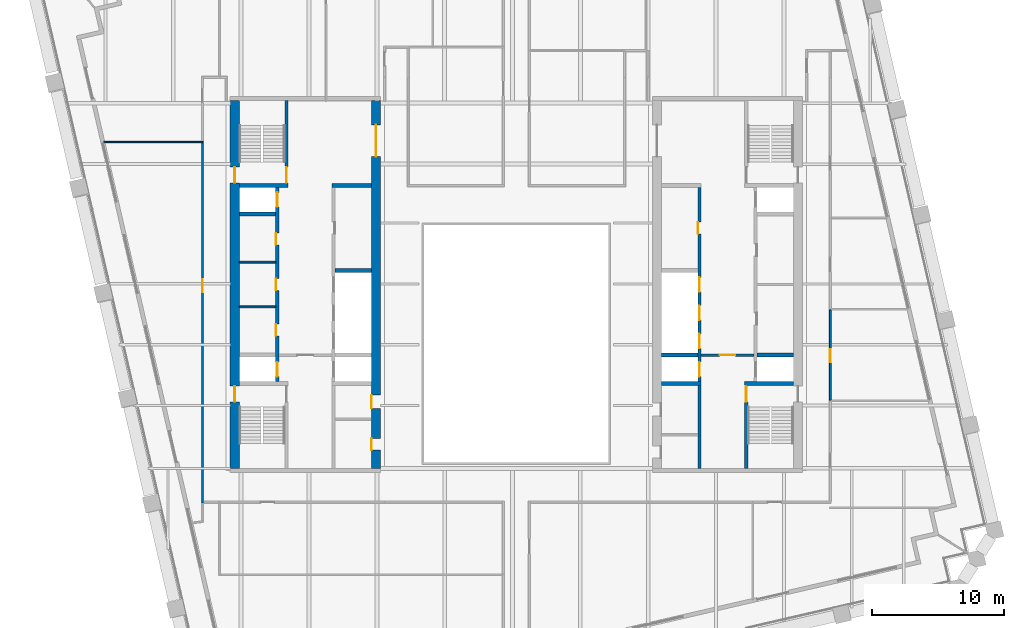
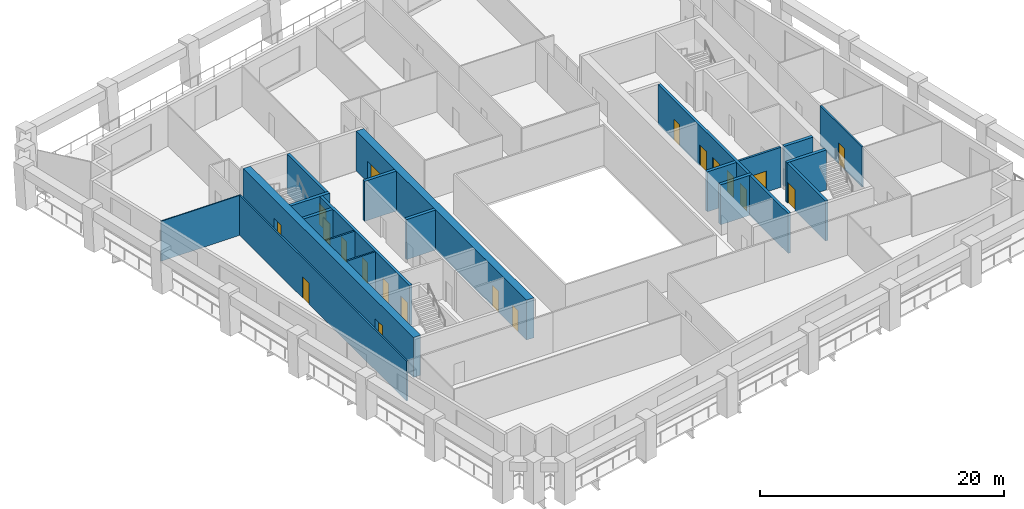
# One storey, part 5 of 10: 20 doors, 20 walls, 20 openings.
"""IFC4 building model written with IfcOpenShell, lengths in metres."""

from ifc_helpers import new_model, si_unit, direction, frame, frame_2d, origin, place, context, subcontext, project, spatial, rectangle, extrude, material, layer, layer_set, type_object, element, fill, save


model = new_model("IFC4")

# Units and contexts
model_context = context("Model", 3, precision=1e-05, world=origin(), true_north=direction((0.0, 1.0)))
body_context = subcontext(model_context, "Body", "Model", "MODEL_VIEW")
ifc_project = project(units=[si_unit("LENGTHUNIT", "METRE"), si_unit("AREAUNIT", "SQUARE_METRE"), si_unit("VOLUMEUNIT", "CUBIC_METRE"), si_unit("PLANEANGLEUNIT", "RADIAN"), si_unit("MASSUNIT", "GRAM", prefix="KILO")], contexts=[model_context])

# Site, building, storey
site_placement = place(None, origin())
site = spatial("IfcSite", under=ifc_project, at=site_placement, CompositionType="ELEMENT")
building_placement = place(site_placement, origin())
building = spatial("IfcBuilding", under=site, at=building_placement, Name="Ogive Exchange Tower", CompositionType="ELEMENT")
storey_placement = place(building_placement, frame((0.0, 0.0, 196.800048828125)))
storey = spatial("IfcBuildingStorey", under=building, at=storey_placement, Name="L43", CompositionType="ELEMENT", Elevation=196.800048828125)

# Walls
ifc_material_1 = material(Name="Gypsum board partition")
ifc_layer_1 = layer(ifc_material_1, 0.14990234375)
ifc_layer_set_1 = layer_set([ifc_layer_1], Name="Core room partition 150 gypsum")
wall_type_1 = type_object("IfcWallType", Name="Core room partition 150 gypsum", PredefinedType="PARTITIONING", material=ifc_layer_set_1)
for number, where, z_axis, x_axis, name in (
    (1, (-21.0, 9.800048828125, 0.0), (0.0, 0.0, 1.0), (1.0, 0.0, 0.0), "W row A bay partition 1-1"),
    (2, (-21.0, 13.199951171875, 0.0), (0.0, 0.0, 1.0), (1.0, 0.0, 0.0), "W row A bay partition 1-2"),
):
    element("IfcWall", number, at=place(storey_placement, frame(where, z_axis=z_axis, x_axis=x_axis)), inside=storey, type_object=wall_type_1, Name=name, PredefinedType="PARTITIONING", context=body_context, shape_type="SweptSolid", body=[
        extrude(rectangle(XDim=2.75, YDim=0.14990234375, at=frame_2d((1.375, 0.0))), origin(), (0.0, 0.0, 1.0), 4.0),
    ])
ifc_layer_2 = layer(ifc_material_1, 0.300048828125)
ifc_layer_set_2 = layer_set([ifc_layer_2], Name="Core room partition 300 gypsum")
wall_type_2 = type_object("IfcWallType", Name="Core room partition 300 gypsum", PredefinedType="PARTITIONING", material=ifc_layer_set_2)
wall_1_placement = place(storey_placement, frame((-14.0, 19.0, 0.0), z_axis=(0.0, 0.0, 1.0), x_axis=(1.0, 0.0, 0.0)))
element("IfcWall", 3, at=wall_1_placement, inside=storey, type_object=wall_type_2, Name="W row B room end wall 7", PredefinedType="PARTITIONING", context=body_context, shape_type="SweptSolid", body=[
    extrude(rectangle(XDim=3.0, YDim=0.300048828125, at=frame_2d((1.5, 0.0))), origin(), (0.0, 0.0, 1.0), 4.0),
])

# Wall, opening, door
ifc_material_2 = material(Name="Fire partition EI 60 150")
ifc_layer_3 = layer(ifc_material_2, 0.14990234375)
ifc_layer_set_3 = layer_set([ifc_layer_3], Name="Fire partition EI 60 150")
wall_type_3 = type_object("IfcWallType", Name="Fire partition EI 60 150", PredefinedType="PARTITIONING", material=ifc_layer_set_3)
wall_2_placement = place(storey_placement, frame((-23.800048828125, -5.074951171875, 0.0), z_axis=(0.0, 0.0, 1.0), x_axis=(0.0, 1.0, 0.0)))
wall_2 = element("IfcWall", 4, at=wall_2_placement, inside=storey, type_object=wall_type_3, Name="L43-PWL-003", PredefinedType="PARTITIONING", context=body_context, shape_type="SweptSolid", body=[
    extrude(rectangle(XDim=27.3349609375, YDim=0.14990234375, at=frame_2d((13.66748046875, 0.0))), origin(), (0.0, 0.0, 1.0), 4.0),
])
opening_1_placement = place(wall_2_placement, frame((15.985107421875, 0.0, 0.0)))
opening_1 = element("IfcOpeningElement", 5, at=opening_1_placement, cuts=wall_2, Name="Opening L43-I05", PredefinedType="OPENING", context=body_context, shape_type="SweptSolid", body=[
    extrude(rectangle(XDim=1.0, YDim=2.10009765625, at=frame_2d((0.5, 1.050048828125))), frame((0.0, 0.0849609375, 0.0), z_axis=(0.0, -1.0, 0.0), x_axis=(1.0, 0.0, 0.0)), (0.0, 0.0, 1.0), 0.169921875),
])
ifc_material_3 = material(Name="Fire door FD 30S 1000 x 2100")
door_type_1 = type_object("IfcDoorType", Name="Fire door FD 30S 1000 x 2100", OperationType="NOTDEFINED", PredefinedType="DOOR", material=ifc_material_3)
door_1_placement = place(opening_1_placement, origin())
door_1 = element("IfcDoor", 6, at=door_1_placement, inside=storey, type_object=door_type_1, Name="L43-IDR-005", ObjectType="DT3", OperationType="SINGLE_SWING_RIGHT", OverallHeight=2.10009765625, OverallWidth=1.0, PredefinedType="DOOR", context=body_context, shape_type="SweptSolid", body=[
    extrude(rectangle(XDim=1.0, YDim=2.10009765625, at=frame_2d((0.5, 1.050048828125))), frame((0.0, 0.02490234375, 0.0), z_axis=(0.0, -1.0, 0.0), x_axis=(1.0, 0.0, 0.0)), (0.0, 0.0, 1.0), 0.050048828125),
])
fill(opening_1, door_1)

wall_3_placement = place(storey_placement, frame((23.800048828125, 9.570068359375, 0.0), z_axis=(0.0, 0.0, 1.0), x_axis=(0.0, -1.0, 0.0)))
wall_3 = element("IfcWall", 7, at=wall_3_placement, inside=storey, type_object=wall_type_3, Name="L43-PWL-051", PredefinedType="PARTITIONING", context=body_context, shape_type="SweptSolid", body=[
    extrude(rectangle(XDim=6.830078125, YDim=0.14990234375, at=frame_2d((3.4150390625, 0.0))), origin(), (0.0, 0.0, 1.0), 4.0),
])
opening_2_placement = place(wall_3_placement, frame((2.97998046875, 0.0, 0.0)))
opening_2 = element("IfcOpeningElement", 8, at=opening_2_placement, cuts=wall_3, Name="Opening L43-I14", PredefinedType="OPENING", context=body_context, shape_type="SweptSolid", body=[
    extrude(rectangle(XDim=1.0, YDim=2.10009765625, at=frame_2d((0.5, 1.050048828125))), frame((0.0, 0.0849609375, 0.0), z_axis=(0.0, -1.0, 0.0), x_axis=(1.0, 0.0, 0.0)), (0.0, 0.0, 1.0), 0.169921875),
])
door_2_placement = place(opening_2_placement, origin())
door_2 = element("IfcDoor", 9, at=door_2_placement, inside=storey, type_object=door_type_1, Name="L43-IDR-014", ObjectType="DT3", OperationType="SINGLE_SWING_LEFT", OverallHeight=2.10009765625, OverallWidth=1.0, PredefinedType="DOOR", context=body_context, shape_type="SweptSolid", body=[
    extrude(rectangle(XDim=1.0, YDim=2.10009765625, at=frame_2d((0.5, 1.050048828125))), frame((0.0, 0.02490234375, 0.0), z_axis=(0.0, -1.0, 0.0), x_axis=(1.0, 0.0, 0.0)), (0.0, 0.0, 1.0), 0.050048828125),
])
fill(opening_2, door_2)

# Wall
ifc_material_4 = material(Name="Partition 100 gypsum")
ifc_layer_4 = layer(ifc_material_4, 0.10009765625)
ifc_layer_set_4 = layer_set([ifc_layer_4], Name="Partition 100 gypsum")
wall_type_4 = type_object("IfcWallType", Name="Partition 100 gypsum", PredefinedType="PARTITIONING", material=ifc_layer_set_4)
wall_4_placement = place(storey_placement, frame((-31.2890625, 22.31005859375, 0.0), z_axis=(0.0, 0.0, 1.0), x_axis=(1.0, 0.0, 0.0)))
element("IfcWall", 10, at=wall_4_placement, inside=storey, type_object=wall_type_4, Name="L43-PWL-001", PredefinedType="PARTITIONING", context=body_context, shape_type="SweptSolid", body=[
    extrude(rectangle(XDim=7.56396484375, YDim=0.10009765625, at=frame_2d((3.781982421875, 0.0))), origin(), (0.0, 0.0, 1.0), 4.0),
])

# Wall, opening, door
ifc_material_5 = material(Name="Concrete C70/85", Category="concrete")
ifc_layer_5 = layer(ifc_material_5, 0.199951171875)
ifc_layer_set_5 = layer_set([ifc_layer_5], Name="RC core wall 200 C70/85")
wall_type_5 = type_object("IfcWallType", Name="RC core wall 200 C70/85", PredefinedType="SHEAR", material=ifc_layer_set_5)
wall_5_placement = place(storey_placement, frame((14.0, 6.142822265625, 0.0), z_axis=(0.0, 0.0, 1.0), x_axis=(1.0, 0.0, 0.0)))
wall_5 = element("IfcWall", 11, at=wall_5_placement, inside=storey, type_object=wall_type_5, Name="E firefighting lobby wall", PredefinedType="SHEAR", context=body_context, shape_type="SweptSolid", body=[
    extrude(rectangle(XDim=4.0, YDim=0.199951171875, at=frame_2d((2.0, 0.0))), origin(), (0.0, 0.0, 1.0), 4.0),
])
opening_3_placement = place(wall_5_placement, frame((1.39990234375, 0.0, 0.0)))
opening_3 = element("IfcOpeningElement", 12, at=opening_3_placement, cuts=wall_5, Name="Opening L43-C28", PredefinedType="OPENING", context=body_context, shape_type="SweptSolid", body=[
    extrude(rectangle(XDim=1.199951171875, YDim=2.10009765625, at=frame_2d((0.60009765625, 1.050048828125))), frame((0.0, 0.10986328125, 0.0), z_axis=(0.0, -1.0, 0.0), x_axis=(1.0, 0.0, 0.0)), (0.0, 0.0, 1.0), 0.219970703125),
])
ifc_material_6 = material(Name="Steel fire door", Category="steel")
door_type_2 = type_object("IfcDoorType", Name="Firefighting lobby door FD60 1200 x 2100", OperationType="NOTDEFINED", PredefinedType="DOOR", material=ifc_material_6)
door_3_placement = place(opening_3_placement, frame((1.199951171875, 0.0, 0.0), z_axis=(0.0, 0.0, 1.0), x_axis=(-1.0, 0.0, 0.0)))
door_3 = element("IfcDoor", 13, at=door_3_placement, inside=storey, type_object=door_type_2, Name="Firefighting lobby door", ObjectType="CD3", OperationType="SINGLE_SWING_RIGHT", OverallHeight=2.10009765625, OverallWidth=1.199951171875, PredefinedType="DOOR", context=body_context, shape_type="SweptSolid", body=[
    extrude(rectangle(XDim=1.199951171875, YDim=2.10009765625, at=frame_2d((0.60009765625, 1.050048828125))), frame((0.0, 0.02490234375, 0.0), z_axis=(0.0, -1.0, 0.0), x_axis=(1.0, 0.0, 0.0)), (0.0, 0.0, 1.0), 0.050048828125),
])
fill(opening_3, door_3)

ifc_layer_6 = layer(ifc_material_5, 0.25)
ifc_layer_set_6 = layer_set([ifc_layer_6], Name="RC core wall 250 C70/85")
wall_type_6 = type_object("IfcWallType", Name="RC core wall 250 C70/85", PredefinedType="SHEAR", material=ifc_layer_set_6)
wall_6_placement = place(storey_placement, frame((-17.425048828125, 19.14990234375, 0.0), z_axis=(0.0, 0.0, 1.0), x_axis=(0.0, 1.0, 0.0)))
wall_6 = element("IfcWall", 14, at=wall_6_placement, inside=storey, type_object=wall_type_6, Name="W stair N front wall", PredefinedType="SHEAR", context=body_context, shape_type="SweptSolid", body=[
    extrude(rectangle(XDim=6.300048828125, YDim=0.25, at=frame_2d((3.14990234375, 0.0))), origin(), (0.0, 0.0, 1.0), 4.0),
])
opening_4_placement = place(wall_6_placement, frame((0.050048828125, 0.0, 0.0)))
opening_4 = element("IfcOpeningElement", 15, at=opening_4_placement, cuts=wall_6, Name="Opening L43-C15", PredefinedType="OPENING", context=body_context, shape_type="SweptSolid", body=[
    extrude(rectangle(XDim=1.199951171875, YDim=2.10009765625, at=frame_2d((0.60009765625, 1.050048828125))), frame((0.0, 0.135009765625, 0.0), z_axis=(0.0, -1.0, 0.0), x_axis=(1.0, 0.0, 0.0)), (0.0, 0.0, 1.0), 0.27001953125),
])
door_type_3 = type_object("IfcDoorType", Name="Stair door FD90 1200 x 2100", OperationType="NOTDEFINED", PredefinedType="DOOR", material=ifc_material_6)
door_4_placement = place(opening_4_placement, origin())
door_4 = element("IfcDoor", 16, at=door_4_placement, inside=storey, type_object=door_type_3, Name="Stair door", ObjectType="CD5", OperationType="SINGLE_SWING_RIGHT", OverallHeight=2.10009765625, OverallWidth=1.199951171875, PredefinedType="DOOR", context=body_context, shape_type="SweptSolid", body=[
    extrude(rectangle(XDim=1.199951171875, YDim=2.10009765625, at=frame_2d((0.60009765625, 1.050048828125))), frame((0.0, 0.02490234375, 0.0), z_axis=(0.0, -1.0, 0.0), x_axis=(1.0, 0.0, 0.0)), (0.0, 0.0, 1.0), 0.050048828125),
])
fill(opening_4, door_4)

# Wall, openings, doors
wall_7_placement = place(storey_placement, frame((-18.125, 4.14990234375, 0.0), z_axis=(0.0, 0.0, 1.0), x_axis=(0.0, 1.0, 0.0)))
wall_7 = element("IfcWall", 17, at=wall_7_placement, inside=storey, type_object=wall_type_6, Name="W row A front wall", PredefinedType="SHEAR", context=body_context, shape_type="SweptSolid", body=[
    extrude(rectangle(XDim=14.7001953125, YDim=0.25, at=frame_2d((7.35009765625, 0.0))), origin(), (0.0, 0.0, 1.0), 4.0),
])
opening_5_placement = place(wall_7_placement, frame((3.4462890625, 0.0, 0.0)))
opening_5 = element("IfcOpeningElement", 18, at=opening_5_placement, cuts=wall_7, Name="Opening L43-C01", PredefinedType="OPENING", context=body_context, shape_type="SweptSolid", body=[
    extrude(rectangle(XDim=0.89990234375, YDim=2.10009765625, at=frame_2d((0.449951171875, 1.050048828125))), frame((0.0, 0.135009765625, 0.0), z_axis=(0.0, -1.0, 0.0), x_axis=(1.0, 0.0, 0.0)), (0.0, 0.0, 1.0), 0.27001953125),
])
opening_6_placement = place(wall_7_placement, frame((6.89990234375, 0.0, 0.0)))
opening_6 = element("IfcOpeningElement", 19, at=opening_6_placement, cuts=wall_7, Name="Opening L43-C02", PredefinedType="OPENING", context=body_context, shape_type="SweptSolid", body=[
    extrude(rectangle(XDim=0.89990234375, YDim=2.10009765625, at=frame_2d((0.449951171875, 1.050048828125))), frame((0.0, 0.135009765625, 0.0), z_axis=(0.0, -1.0, 0.0), x_axis=(1.0, 0.0, 0.0)), (0.0, 0.0, 1.0), 0.27001953125),
])
opening_7_placement = place(wall_7_placement, frame((10.353515625, 0.0, 0.0)))
opening_7 = element("IfcOpeningElement", 20, at=opening_7_placement, cuts=wall_7, Name="Opening L43-C03", PredefinedType="OPENING", context=body_context, shape_type="SweptSolid", body=[
    extrude(rectangle(XDim=0.89990234375, YDim=2.10009765625, at=frame_2d((0.449951171875, 1.050048828125))), frame((0.0, 0.135009765625, 0.0), z_axis=(0.0, -1.0, 0.0), x_axis=(1.0, 0.0, 0.0)), (0.0, 0.0, 1.0), 0.27001953125),
])
opening_8_placement = place(wall_7_placement, frame((0.371337890625, 0.0, 0.0)))
opening_8 = element("IfcOpeningElement", 21, at=opening_8_placement, cuts=wall_7, Name="Opening L43-C04", PredefinedType="OPENING", context=body_context, shape_type="SweptSolid", body=[
    extrude(rectangle(XDim=1.10009765625, YDim=2.10009765625, at=frame_2d((0.550048828125, 1.050048828125))), frame((0.0, 0.135009765625, 0.0), z_axis=(0.0, -1.0, 0.0), x_axis=(1.0, 0.0, 0.0)), (0.0, 0.0, 1.0), 0.27001953125),
])
opening_9_placement = place(wall_7_placement, frame((13.228515625, 0.0, 0.0)))
opening_9 = element("IfcOpeningElement", 22, at=opening_9_placement, cuts=wall_7, Name="Opening L43-C05", PredefinedType="OPENING", context=body_context, shape_type="SweptSolid", body=[
    extrude(rectangle(XDim=1.10009765625, YDim=2.10009765625, at=frame_2d((0.550048828125, 1.050048828125))), frame((0.0, 0.135009765625, 0.0), z_axis=(0.0, -1.0, 0.0), x_axis=(1.0, 0.0, 0.0)), (0.0, 0.0, 1.0), 0.27001953125),
])
ifc_material_7 = material(Name="Timber fire door", Category="wood")
door_type_4 = type_object("IfcDoorType", Name="Core room door FD30S 900 x 2100", OperationType="NOTDEFINED", PredefinedType="DOOR", material=ifc_material_7)
door_5_placement = place(opening_6_placement, origin())
door_5 = element("IfcDoor", 23, at=door_5_placement, inside=storey, type_object=door_type_4, Name="Core room door", ObjectType="CD6", OperationType="SINGLE_SWING_LEFT", OverallHeight=2.10009765625, OverallWidth=0.89990234375, PredefinedType="DOOR", context=body_context, shape_type="SweptSolid", body=[
    extrude(rectangle(XDim=0.89990234375, YDim=2.10009765625, at=frame_2d((0.449951171875, 1.050048828125))), frame((0.0, 0.125, 0.0), z_axis=(0.0, -1.0, 0.0), x_axis=(1.0, 0.0, 0.0)), (0.0, 0.0, 1.0), 0.050048828125),
])
fill(opening_6, door_5)
ifc_material_8 = material(Name="Stainless steel", Category="steel")
door_type_5 = type_object("IfcDoorType", Name="Lift landing door FD90 1100 x 2100", OperationType="SLIDING_TO_LEFT", PredefinedType="DOOR", material=ifc_material_8)
door_6_placement = place(opening_8_placement, origin())
door_6 = element("IfcDoor", 24, at=door_6_placement, inside=storey, type_object=door_type_5, Name="Lift landing door FF1", ObjectType="LD", OperationType="SLIDING_TO_LEFT", OverallHeight=2.10009765625, OverallWidth=1.10009765625, PredefinedType="DOOR", context=body_context, shape_type="SweptSolid", body=[
    extrude(rectangle(XDim=1.10009765625, YDim=2.10009765625, at=frame_2d((0.550048828125, 1.050048828125))), frame((0.0, 0.02490234375, 0.0), z_axis=(0.0, -1.0, 0.0), x_axis=(1.0, 0.0, 0.0)), (0.0, 0.0, 1.0), 0.050048828125),
])
fill(opening_8, door_6)
door_7_placement = place(opening_9_placement, origin())
door_7 = element("IfcDoor", 25, at=door_7_placement, inside=storey, type_object=door_type_5, Name="Lift landing door W-SH2", ObjectType="LD", OperationType="SLIDING_TO_LEFT", OverallHeight=2.10009765625, OverallWidth=1.10009765625, PredefinedType="DOOR", context=body_context, shape_type="SweptSolid", body=[
    extrude(rectangle(XDim=1.10009765625, YDim=2.10009765625, at=frame_2d((0.550048828125, 1.050048828125))), frame((0.0, 0.02490234375, 0.0), z_axis=(0.0, -1.0, 0.0), x_axis=(1.0, 0.0, 0.0)), (0.0, 0.0, 1.0), 0.050048828125),
])
fill(opening_9, door_7)
door_type_6 = type_object("IfcDoorType", Name="Riser door FD60 900 x 2100", OperationType="NOTDEFINED", PredefinedType="DOOR", material=ifc_material_6)
door_8_placement = place(opening_5_placement, origin())
door_8 = element("IfcDoor", 26, at=door_8_placement, inside=storey, type_object=door_type_6, Name="Riser door", ObjectType="CD2", OperationType="SINGLE_SWING_LEFT", OverallHeight=2.10009765625, OverallWidth=0.89990234375, PredefinedType="DOOR", context=body_context, shape_type="SweptSolid", body=[
    extrude(rectangle(XDim=0.89990234375, YDim=2.10009765625, at=frame_2d((0.449951171875, 1.050048828125))), frame((0.0, 0.125, 0.0), z_axis=(0.0, -1.0, 0.0), x_axis=(1.0, 0.0, 0.0)), (0.0, 0.0, 1.0), 0.050048828125),
])
fill(opening_5, door_8)
door_9_placement = place(opening_7_placement, origin())
door_9 = element("IfcDoor", 27, at=door_9_placement, inside=storey, type_object=door_type_6, Name="Riser door", ObjectType="CD2", OperationType="SINGLE_SWING_LEFT", OverallHeight=2.10009765625, OverallWidth=0.89990234375, PredefinedType="DOOR", context=body_context, shape_type="SweptSolid", body=[
    extrude(rectangle(XDim=0.89990234375, YDim=2.10009765625, at=frame_2d((0.449951171875, 1.050048828125))), frame((0.0, 0.125, 0.0), z_axis=(0.0, -1.0, 0.0), x_axis=(1.0, 0.0, 0.0)), (0.0, 0.0, 1.0), 0.050048828125),
])
fill(opening_7, door_9)

# Wall, opening, door
wall_8_placement = place(storey_placement, frame((17.425048828125, -2.449951171875, 0.0), z_axis=(0.0, 0.0, 1.0), x_axis=(0.0, 1.0, 0.0)))
wall_8 = element("IfcWall", 28, at=wall_8_placement, inside=storey, type_object=wall_type_6, Name="E stair S front wall", PredefinedType="SHEAR", context=body_context, shape_type="SweptSolid", body=[
    extrude(rectangle(XDim=6.300048828125, YDim=0.25, at=frame_2d((3.14990234375, 0.0))), origin(), (0.0, 0.0, 1.0), 4.0),
])
opening_10_placement = place(wall_8_placement, frame((5.050048828125, 0.0, 0.0)))
opening_10 = element("IfcOpeningElement", 29, at=opening_10_placement, cuts=wall_8, Name="Opening L43-C30", PredefinedType="OPENING", context=body_context, shape_type="SweptSolid", body=[
    extrude(rectangle(XDim=1.199951171875, YDim=2.10009765625, at=frame_2d((0.60009765625, 1.050048828125))), frame((0.0, 0.135009765625, 0.0), z_axis=(0.0, -1.0, 0.0), x_axis=(1.0, 0.0, 0.0)), (0.0, 0.0, 1.0), 0.27001953125),
])
door_10_placement = place(opening_10_placement, frame((1.199951171875, 0.0, 0.0), z_axis=(0.0, 0.0, 1.0), x_axis=(-1.0, 0.0, 0.0)))
door_10 = element("IfcDoor", 30, at=door_10_placement, inside=storey, type_object=door_type_3, Name="Stair door", ObjectType="CD5", OperationType="SINGLE_SWING_RIGHT", OverallHeight=2.10009765625, OverallWidth=1.199951171875, PredefinedType="DOOR", context=body_context, shape_type="SweptSolid", body=[
    extrude(rectangle(XDim=1.199951171875, YDim=2.10009765625, at=frame_2d((0.60009765625, 1.050048828125))), frame((0.0, 0.02490234375, 0.0), z_axis=(0.0, -1.0, 0.0), x_axis=(1.0, 0.0, 0.0)), (0.0, 0.0, 1.0), 0.050048828125),
])
fill(opening_10, door_10)

# Wall, openings, doors
wall_9_placement = place(storey_placement, frame((13.875, -2.449951171875, 0.0), z_axis=(0.0, 0.0, 1.0), x_axis=(0.0, 1.0, 0.0)))
wall_9 = element("IfcWall", 31, at=wall_9_placement, inside=storey, type_object=wall_type_6, Name="E row B front wall", PredefinedType="SHEAR", context=body_context, shape_type="SweptSolid", body=[
    extrude(rectangle(XDim=21.300048828125, YDim=0.25, at=frame_2d((10.64990234375, 0.0))), origin(), (0.0, 0.0, 1.0), 4.0),
])
opening_11_placement = place(wall_9_placement, frame((17.78564453125, 0.0, 0.0)))
opening_11 = element("IfcOpeningElement", 32, at=opening_11_placement, cuts=wall_9, Name="Opening L43-C23", PredefinedType="OPENING", context=body_context, shape_type="SweptSolid", body=[
    extrude(rectangle(XDim=0.89990234375, YDim=2.10009765625, at=frame_2d((0.449951171875, 1.050048828125))), frame((0.0, 0.135009765625, 0.0), z_axis=(0.0, -1.0, 0.0), x_axis=(1.0, 0.0, 0.0)), (0.0, 0.0, 1.0), 0.27001953125),
])
opening_12_placement = place(wall_9_placement, frame((6.971435546875, 0.0, 0.0)))
opening_12 = element("IfcOpeningElement", 33, at=opening_12_placement, cuts=wall_9, Name="Opening L43-C24", PredefinedType="OPENING", context=body_context, shape_type="SweptSolid", body=[
    extrude(rectangle(XDim=1.10009765625, YDim=2.10009765625, at=frame_2d((0.550048828125, 1.050048828125))), frame((0.0, 0.135009765625, 0.0), z_axis=(0.0, -1.0, 0.0), x_axis=(1.0, 0.0, 0.0)), (0.0, 0.0, 1.0), 0.27001953125),
])
opening_13_placement = place(wall_9_placement, frame((9.1142578125, 0.0, 0.0)))
opening_13 = element("IfcOpeningElement", 34, at=opening_13_placement, cuts=wall_9, Name="Opening L43-C25", PredefinedType="OPENING", context=body_context, shape_type="SweptSolid", body=[
    extrude(rectangle(XDim=1.10009765625, YDim=2.10009765625, at=frame_2d((0.550048828125, 1.050048828125))), frame((0.0, 0.135009765625, 0.0), z_axis=(0.0, -1.0, 0.0), x_axis=(1.0, 0.0, 0.0)), (0.0, 0.0, 1.0), 0.27001953125),
])
opening_14_placement = place(wall_9_placement, frame((11.257080078125, 0.0, 0.0)))
opening_14 = element("IfcOpeningElement", 35, at=opening_14_placement, cuts=wall_9, Name="Opening L43-C26", PredefinedType="OPENING", context=body_context, shape_type="SweptSolid", body=[
    extrude(rectangle(XDim=1.10009765625, YDim=2.10009765625, at=frame_2d((0.550048828125, 1.050048828125))), frame((0.0, 0.135009765625, 0.0), z_axis=(0.0, -1.0, 0.0), x_axis=(1.0, 0.0, 0.0)), (0.0, 0.0, 1.0), 0.27001953125),
])
opening_15_placement = place(wall_9_placement, frame((13.39990234375, 0.0, 0.0)))
opening_15 = element("IfcOpeningElement", 36, at=opening_15_placement, cuts=wall_9, Name="Opening L43-C27", PredefinedType="OPENING", context=body_context, shape_type="SweptSolid", body=[
    extrude(rectangle(XDim=1.10009765625, YDim=2.10009765625, at=frame_2d((0.550048828125, 1.050048828125))), frame((0.0, 0.135009765625, 0.0), z_axis=(0.0, -1.0, 0.0), x_axis=(1.0, 0.0, 0.0)), (0.0, 0.0, 1.0), 0.27001953125),
])
door_11_placement = place(opening_11_placement, origin())
door_11 = element("IfcDoor", 37, at=door_11_placement, inside=storey, type_object=door_type_4, Name="Core room door", ObjectType="CD6", OperationType="SINGLE_SWING_LEFT", OverallHeight=2.10009765625, OverallWidth=0.89990234375, PredefinedType="DOOR", context=body_context, shape_type="SweptSolid", body=[
    extrude(rectangle(XDim=0.89990234375, YDim=2.10009765625, at=frame_2d((0.449951171875, 1.050048828125))), frame((0.0, 0.125, 0.0), z_axis=(0.0, -1.0, 0.0), x_axis=(1.0, 0.0, 0.0)), (0.0, 0.0, 1.0), 0.050048828125),
])
fill(opening_11, door_11)
door_12_placement = place(opening_12_placement, origin())
door_12 = element("IfcDoor", 38, at=door_12_placement, inside=storey, type_object=door_type_5, Name="Lift landing door SV2", ObjectType="LD", OperationType="SLIDING_TO_LEFT", OverallHeight=2.10009765625, OverallWidth=1.10009765625, PredefinedType="DOOR", context=body_context, shape_type="SweptSolid", body=[
    extrude(rectangle(XDim=1.10009765625, YDim=2.10009765625, at=frame_2d((0.550048828125, 1.050048828125))), frame((0.0, 0.02490234375, 0.0), z_axis=(0.0, -1.0, 0.0), x_axis=(1.0, 0.0, 0.0)), (0.0, 0.0, 1.0), 0.050048828125),
])
fill(opening_12, door_12)
door_13_placement = place(opening_13_placement, origin())
door_13 = element("IfcDoor", 39, at=door_13_placement, inside=storey, type_object=door_type_5, Name="Lift landing door E-M1", ObjectType="LD", OperationType="SLIDING_TO_LEFT", OverallHeight=2.10009765625, OverallWidth=1.10009765625, PredefinedType="DOOR", context=body_context, shape_type="SweptSolid", body=[
    extrude(rectangle(XDim=1.10009765625, YDim=2.10009765625, at=frame_2d((0.550048828125, 1.050048828125))), frame((0.0, 0.02490234375, 0.0), z_axis=(0.0, -1.0, 0.0), x_axis=(1.0, 0.0, 0.0)), (0.0, 0.0, 1.0), 0.050048828125),
])
fill(opening_13, door_13)
door_14_placement = place(opening_14_placement, origin())
door_14 = element("IfcDoor", 40, at=door_14_placement, inside=storey, type_object=door_type_5, Name="Lift landing door E-M2", ObjectType="LD", OperationType="SLIDING_TO_LEFT", OverallHeight=2.10009765625, OverallWidth=1.10009765625, PredefinedType="DOOR", context=body_context, shape_type="SweptSolid", body=[
    extrude(rectangle(XDim=1.10009765625, YDim=2.10009765625, at=frame_2d((0.550048828125, 1.050048828125))), frame((0.0, 0.02490234375, 0.0), z_axis=(0.0, -1.0, 0.0), x_axis=(1.0, 0.0, 0.0)), (0.0, 0.0, 1.0), 0.050048828125),
])
fill(opening_14, door_14)
door_15_placement = place(opening_15_placement, origin())
door_15 = element("IfcDoor", 41, at=door_15_placement, inside=storey, type_object=door_type_5, Name="Lift landing door E-M3", ObjectType="LD", OperationType="SLIDING_TO_LEFT", OverallHeight=2.10009765625, OverallWidth=1.10009765625, PredefinedType="DOOR", context=body_context, shape_type="SweptSolid", body=[
    extrude(rectangle(XDim=1.10009765625, YDim=2.10009765625, at=frame_2d((0.550048828125, 1.050048828125))), frame((0.0, 0.02490234375, 0.0), z_axis=(0.0, -1.0, 0.0), x_axis=(1.0, 0.0, 0.0)), (0.0, 0.0, 1.0), 0.050048828125),
])
fill(opening_15, door_15)

# Walls
ifc_layer_7 = layer(ifc_material_5, 0.300048828125)
ifc_layer_set_7 = layer_set([ifc_layer_7], Name="RC core wall 300 C70/85")
wall_type_7 = type_object("IfcWallType", Name="RC core wall 300 C70/85", PredefinedType="SHEAR", material=ifc_layer_set_7)
wall_10_placement = place(storey_placement, frame((-21.0, 19.0, 0.0), z_axis=(0.0, 0.0, 1.0), x_axis=(1.0, 0.0, 0.0)))
element("IfcWall", 42, at=wall_10_placement, inside=storey, type_object=wall_type_7, Name="W stair N south wall", PredefinedType="SHEAR", context=body_context, shape_type="SweptSolid", body=[
    extrude(rectangle(XDim=3.699951171875, YDim=0.300048828125, at=frame_2d((1.85009765625, 0.0))), origin(), (0.0, 0.0, 1.0), 4.0),
])
for number, where, z_axis, x_axis, name in (
    (43, (-21.0, 16.857177734375, 0.0), (0.0, 0.0, 1.0), (1.0, 0.0, 0.0), "W row A divider 6"),
    (44, (-13.75, 12.5712890625, 0.0), (0.0, 0.0, 1.0), (1.0, 0.0, 0.0), "W row B divider 4"),
):
    element("IfcWall", number, at=place(storey_placement, frame(where, z_axis=z_axis, x_axis=x_axis)), inside=storey, type_object=wall_type_7, Name=name, PredefinedType="SHEAR", context=body_context, shape_type="SweptSolid", body=[
        extrude(rectangle(XDim=2.75, YDim=0.300048828125, at=frame_2d((1.375, 0.0))), origin(), (0.0, 0.0, 1.0), 4.0),
    ])
wall_11_placement = place(storey_placement, frame((17.300048828125, 4.0, 0.0), z_axis=(0.0, 0.0, 1.0), x_axis=(1.0, 0.0, 0.0)))
element("IfcWall", 45, at=wall_11_placement, inside=storey, type_object=wall_type_7, Name="E stair S north wall", PredefinedType="SHEAR", context=body_context, shape_type="SweptSolid", body=[
    extrude(rectangle(XDim=3.699951171875, YDim=0.300048828125, at=frame_2d((1.85009765625, 0.0))), origin(), (0.0, 0.0, 1.0), 4.0),
])
wall_12_placement = place(storey_placement, frame((18.25, 6.142822265625, 0.0), z_axis=(0.0, 0.0, 1.0), x_axis=(1.0, 0.0, 0.0)))
element("IfcWall", 46, at=wall_12_placement, inside=storey, type_object=wall_type_7, Name="E row A divider 1", PredefinedType="SHEAR", context=body_context, shape_type="SweptSolid", body=[
    extrude(rectangle(XDim=2.75, YDim=0.300048828125, at=frame_2d((1.375, 0.0))), origin(), (0.0, 0.0, 1.0), 4.0),
])
wall_13_placement = place(storey_placement, frame((11.0, 4.0, 0.0), z_axis=(0.0, 0.0, 1.0), x_axis=(1.0, 0.0, 0.0)))
element("IfcWall", 47, at=wall_13_placement, inside=storey, type_object=wall_type_7, Name="E row B divider 0", PredefinedType="SHEAR", context=body_context, shape_type="SweptSolid", body=[
    extrude(rectangle(XDim=3.0, YDim=0.300048828125, at=frame_2d((1.5, 0.0))), origin(), (0.0, 0.0, 1.0), 4.0),
])
wall_14_placement = place(storey_placement, frame((11.0, 6.142822265625, 0.0), z_axis=(0.0, 0.0, 1.0), x_axis=(1.0, 0.0, 0.0)))
element("IfcWall", 48, at=wall_14_placement, inside=storey, type_object=wall_type_7, Name="E row B divider 1", PredefinedType="SHEAR", context=body_context, shape_type="SweptSolid", body=[
    extrude(rectangle(XDim=2.75, YDim=0.300048828125, at=frame_2d((1.375, 0.0))), origin(), (0.0, 0.0, 1.0), 4.0),
])

# Wall, openings, doors
ifc_layer_8 = layer(ifc_material_5, 0.699951171875)
ifc_layer_set_8 = layer_set([ifc_layer_8], Name="RC core wall 700 C70/85")
wall_type_8 = type_object("IfcWallType", Name="RC core wall 700 C70/85", PredefinedType="SHEAR", material=ifc_layer_set_8)
wall_15_placement = place(storey_placement, frame((-21.35009765625, -2.449951171875, 0.0), z_axis=(0.0, 0.0, 1.0), x_axis=(0.0, 1.0, 0.0)))
wall_15 = element("IfcWall", 49, at=wall_15_placement, inside=storey, type_object=wall_type_8, Name="W outer wall", PredefinedType="SHEAR", context=body_context, shape_type="SweptSolid", body=[
    extrude(rectangle(XDim=27.89990234375, YDim=0.699951171875, at=frame_2d((13.949951171875, 0.0))), origin(), (0.0, 0.0, 1.0), 4.0),
])
opening_16_placement = place(wall_15_placement, frame((5.050048828125, 0.0, 0.0)))
opening_16 = element("IfcOpeningElement", 50, at=opening_16_placement, cuts=wall_15, Name="Opening L43-C14", PredefinedType="OPENING", context=body_context, shape_type="SweptSolid", body=[
    extrude(rectangle(XDim=1.199951171875, YDim=2.10009765625, at=frame_2d((0.60009765625, 1.050048828125))), frame((0.0, 0.35986328125, 0.0), z_axis=(0.0, -1.0, 0.0), x_axis=(1.0, 0.0, 0.0)), (0.0, 0.0, 1.0), 0.719970703125),
])
opening_17_placement = place(wall_15_placement, frame((21.64990234375, 0.0, 0.0)))
opening_17 = element("IfcOpeningElement", 51, at=opening_17_placement, cuts=wall_15, Name="Opening L43-C16", PredefinedType="OPENING", context=body_context, shape_type="SweptSolid", body=[
    extrude(rectangle(XDim=1.199951171875, YDim=2.10009765625, at=frame_2d((0.60009765625, 1.050048828125))), frame((0.0, 0.35986328125, 0.0), z_axis=(0.0, -1.0, 0.0), x_axis=(1.0, 0.0, 0.0)), (0.0, 0.0, 1.0), 0.719970703125),
])
door_16_placement = place(opening_16_placement, frame((1.199951171875, 0.0, 0.0), z_axis=(0.0, 0.0, 1.0), x_axis=(-1.0, 0.0, 0.0)))
door_16 = element("IfcDoor", 52, at=door_16_placement, inside=storey, type_object=door_type_3, Name="Stair door", ObjectType="CD5", OperationType="SINGLE_SWING_RIGHT", OverallHeight=2.10009765625, OverallWidth=1.199951171875, PredefinedType="DOOR", context=body_context, shape_type="SweptSolid", body=[
    extrude(rectangle(XDim=1.199951171875, YDim=2.10009765625, at=frame_2d((0.60009765625, 1.050048828125))), frame((0.0, 0.02490234375, 0.0), z_axis=(0.0, -1.0, 0.0), x_axis=(1.0, 0.0, 0.0)), (0.0, 0.0, 1.0), 0.050048828125),
])
fill(opening_16, door_16)
door_17_placement = place(opening_17_placement, frame((1.199951171875, 0.0, 0.0), z_axis=(0.0, 0.0, 1.0), x_axis=(-1.0, 0.0, 0.0)))
door_17 = element("IfcDoor", 53, at=door_17_placement, inside=storey, type_object=door_type_3, Name="Stair door", ObjectType="CD5", OperationType="SINGLE_SWING_LEFT", OverallHeight=2.10009765625, OverallWidth=1.199951171875, PredefinedType="DOOR", context=body_context, shape_type="SweptSolid", body=[
    extrude(rectangle(XDim=1.199951171875, YDim=2.10009765625, at=frame_2d((0.60009765625, 1.050048828125))), frame((0.0, 0.02490234375, 0.0), z_axis=(0.0, -1.0, 0.0), x_axis=(1.0, 0.0, 0.0)), (0.0, 0.0, 1.0), 0.050048828125),
])
fill(opening_17, door_17)

wall_16_placement = place(storey_placement, frame((-10.64990234375, -2.449951171875, 0.0), z_axis=(0.0, 0.0, 1.0), x_axis=(0.0, 1.0, 0.0)))
wall_16 = element("IfcWall", 54, at=wall_16_placement, inside=storey, type_object=wall_type_8, Name="W inner wall", PredefinedType="SHEAR", context=body_context, shape_type="SweptSolid", body=[
    extrude(rectangle(XDim=27.89990234375, YDim=0.699951171875, at=frame_2d((13.949951171875, 0.0))), origin(), (0.0, 0.0, 1.0), 4.0),
])
opening_18_placement = place(wall_16_placement, frame((23.64990234375, 0.0, 0.0)))
opening_18 = element("IfcOpeningElement", 55, at=opening_18_placement, cuts=wall_16, Name="Opening L43-C12", PredefinedType="OPENING", context=body_context, shape_type="SweptSolid", body=[
    extrude(rectangle(XDim=2.39990234375, YDim=2.10009765625, at=frame_2d((1.199951171875, 1.050048828125))), frame((0.0, 0.35986328125, 0.0), z_axis=(0.0, -1.0, 0.0), x_axis=(1.0, 0.0, 0.0)), (0.0, 0.0, 1.0), 0.719970703125),
])
opening_19_placement = place(wall_16_placement, frame((1.387451171875, 0.0, 0.0)))
opening_19 = element("IfcOpeningElement", 56, at=opening_19_placement, cuts=wall_16, Name="Opening L43-C17", PredefinedType="OPENING", context=body_context, shape_type="SweptSolid", body=[
    extrude(rectangle(XDim=0.89990234375, YDim=2.10009765625, at=frame_2d((0.449951171875, 1.050048828125))), frame((0.0, 0.35986328125, 0.0), z_axis=(0.0, -1.0, 0.0), x_axis=(1.0, 0.0, 0.0)), (0.0, 0.0, 1.0), 0.719970703125),
])
opening_20_placement = place(wall_16_placement, frame((4.5625, 0.0, 0.0)))
opening_20 = element("IfcOpeningElement", 57, at=opening_20_placement, cuts=wall_16, Name="Opening L43-C18", PredefinedType="OPENING", context=body_context, shape_type="SweptSolid", body=[
    extrude(rectangle(XDim=1.0, YDim=2.10009765625, at=frame_2d((0.5, 1.050048828125))), frame((0.0, 0.35986328125, 0.0), z_axis=(0.0, -1.0, 0.0), x_axis=(1.0, 0.0, 0.0)), (0.0, 0.0, 1.0), 0.719970703125),
])
door_type_7 = type_object("IfcDoorType", Name="Accessible WC door FD30S 1000 x 2100", OperationType="NOTDEFINED", PredefinedType="DOOR", material=ifc_material_7)
door_18_placement = place(opening_20_placement, origin())
door_18 = element("IfcDoor", 58, at=door_18_placement, inside=storey, type_object=door_type_7, Name="Accessible WC door", ObjectType="CD7", OperationType="SINGLE_SWING_RIGHT", OverallHeight=2.10009765625, OverallWidth=1.0, PredefinedType="DOOR", context=body_context, shape_type="SweptSolid", body=[
    extrude(rectangle(XDim=1.0, YDim=2.10009765625, at=frame_2d((0.5, 1.050048828125))), frame((0.0, 0.35009765625, 0.0), z_axis=(0.0, -1.0, 0.0), x_axis=(1.0, 0.0, 0.0)), (0.0, 0.0, 1.0), 0.050048828125),
])
fill(opening_20, door_18)
door_19_placement = place(opening_19_placement, origin())
door_19 = element("IfcDoor", 59, at=door_19_placement, inside=storey, type_object=door_type_4, Name="Core room door", ObjectType="CD6", OperationType="SINGLE_SWING_LEFT", OverallHeight=2.10009765625, OverallWidth=0.89990234375, PredefinedType="DOOR", context=body_context, shape_type="SweptSolid", body=[
    extrude(rectangle(XDim=0.89990234375, YDim=2.10009765625, at=frame_2d((0.449951171875, 1.050048828125))), frame((0.0, 0.35009765625, 0.0), z_axis=(0.0, -1.0, 0.0), x_axis=(1.0, 0.0, 0.0)), (0.0, 0.0, 1.0), 0.050048828125),
])
fill(opening_19, door_19)
ifc_material_9 = material(Name="Glazed steel fire door", Category="steel")
door_type_8 = type_object("IfcDoorType", Name="Lift lobby double door FD60 2400 x 2100", OperationType="DOUBLE_DOOR_SINGLE_SWING", PredefinedType="DOOR", material=ifc_material_9)
door_20_placement = place(opening_18_placement, frame((2.39990234375, 0.0, 0.0), z_axis=(0.0, 0.0, 1.0), x_axis=(-1.0, 0.0, 0.0)))
door_20 = element("IfcDoor", 60, at=door_20_placement, inside=storey, type_object=door_type_8, Name="Lift lobby double door", ObjectType="CD4", OperationType="DOUBLE_DOOR_SINGLE_SWING", OverallHeight=2.10009765625, OverallWidth=2.39990234375, PredefinedType="DOOR", context=body_context, shape_type="SweptSolid", body=[
    extrude(rectangle(XDim=2.39990234375, YDim=2.10009765625, at=frame_2d((1.199951171875, 1.050048828125))), frame((0.0, 0.02490234375, 0.0), z_axis=(0.0, -1.0, 0.0), x_axis=(1.0, 0.0, 0.0)), (0.0, 0.0, 1.0), 0.050048828125),
])
fill(opening_18, door_20)

save(model, "model.ifc")
